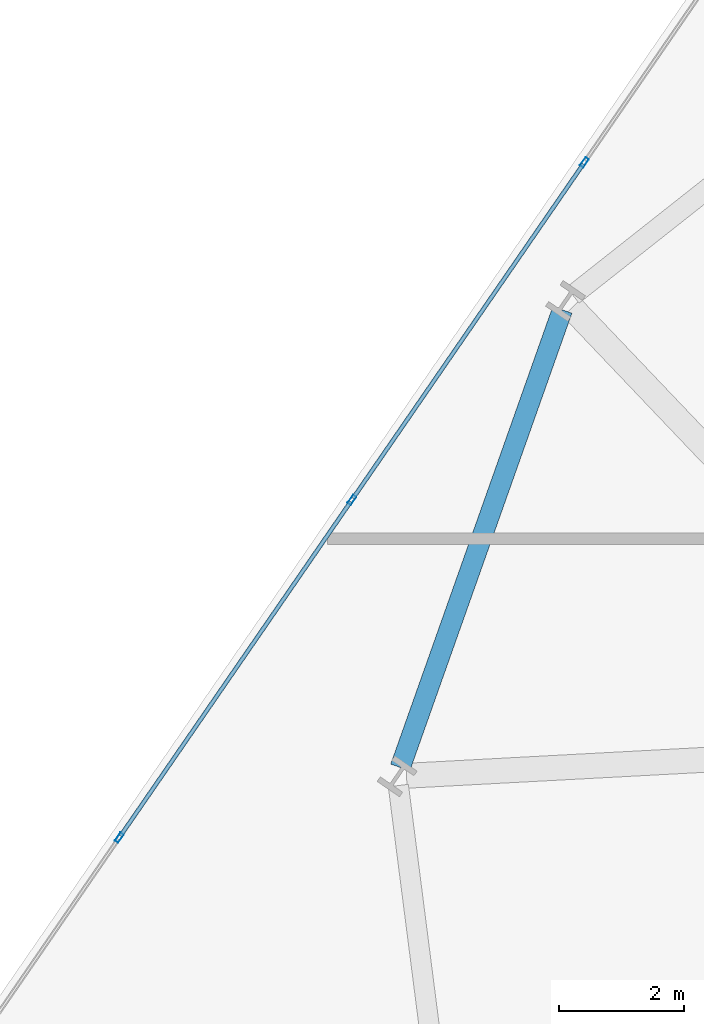
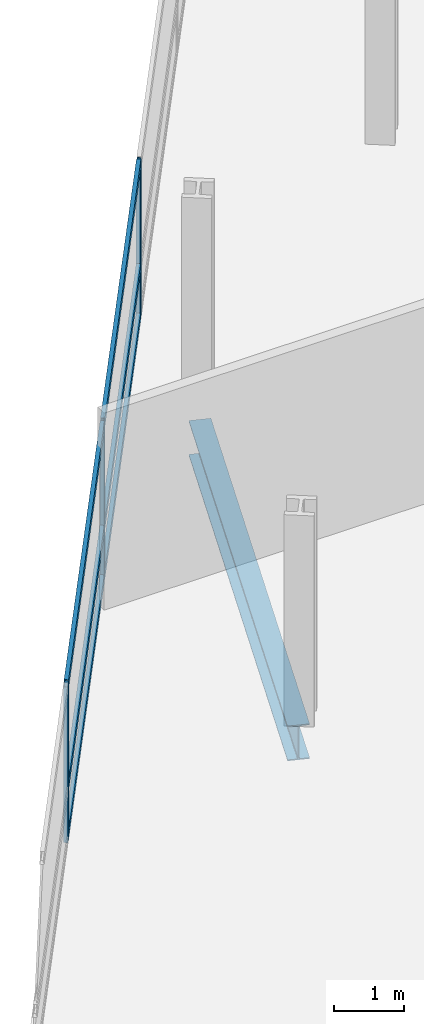
# One storey, part 6 of 26: 9 members, 1 beam, 1 element without a shape of its own.
"""IFC4 building model written with IfcOpenShell, lengths in metres."""

from ifc_helpers import new_model, si_unit, direction, frame, origin, origin_2d, place, context, subcontext, project, spatial, hollow_rectangle, i_section, extrude, material, layer, layer_set, material_profile, profile_set, type_object, element, aggregate, save


model = new_model("IFC4")

# Units and contexts
model_context = context("Model", 3, precision=1e-05, world=origin(), true_north=direction((0.0, 1.0)))
body_context = subcontext(model_context, "Body", "Model", "MODEL_VIEW")
ifc_project = project(units=[si_unit("LENGTHUNIT", "METRE"), si_unit("AREAUNIT", "SQUARE_METRE"), si_unit("VOLUMEUNIT", "CUBIC_METRE"), si_unit("PLANEANGLEUNIT", "RADIAN"), si_unit("MASSUNIT", "GRAM", prefix="KILO")], contexts=[model_context])

# Site, building, storey
site_placement = place(None, origin())
site = spatial("IfcSite", under=ifc_project, at=site_placement, CompositionType="ELEMENT")
building_placement = place(site_placement, origin())
building = spatial("IfcBuilding", under=site, at=building_placement, Name="Varnelok Gate Tower", CompositionType="ELEMENT")
storey_placement = place(building_placement, frame((0.0, 0.0, 45.5)))
storey = spatial("IfcBuildingStorey", under=building, at=storey_placement, Name="L10", CompositionType="ELEMENT", Elevation=45.5)

# Beam
ifc_material_1 = material(Name="Structural Steel ASTM A992 Grade 50", Category="steel")
ifc_material_profile_1 = material_profile(ifc_material_1, i_section(OverallWidth=0.323974609375, OverallDepth=0.611083984375, WebThickness=0.0126953125, FlangeThickness=0.01904296875, FilletRadius=0.01806640625, at=origin_2d()), Name="W24X104")
ifc_profile_set_1 = profile_set([ifc_material_profile_1], Name="Structural Steel ASTM A992 Grade 50")
beam_type = type_object("IfcBeamType", Name="BM-SPN-W24X104", PredefinedType="SPANDREL", material=ifc_profile_set_1)
beam_placement = place(storey_placement, frame((6.679931640625, 45.09619140625, -0.555419921875), z_axis=(-0.333877359029, -0.942616522838, 0.0), x_axis=(0.942616522838, -0.333877359029, 0.0)))
element("IfcBeam", 1, at=beam_placement, inside=storey, type_object=beam_type, Name="L10 Perimeter Spandrel Beam 15", PredefinedType="SPANDREL", context=body_context, shape_type="SweptSolid", body=[
    extrude(i_section(OverallWidth=0.323974609375, OverallDepth=0.611083984375, WebThickness=0.0126953125, FlangeThickness=0.01904296875, FilletRadius=0.01806640625, at=origin_2d()), origin(), (0.0, 0.0, 1.0), 7.77734375),
])

# Curtain wall, members
ifc_material_2 = material(Name="Anodized Aluminum Alloy 6063-T6", Category="aluminium")
ifc_layer = layer(ifc_material_2, 0.179931640625)
ifc_layer_set = layer_set([ifc_layer], Name="Anodized Aluminum Alloy 6063-T6")
curtain_wall_type = type_object("IfcCurtainWallType", Name="CW3-HOTEL-VISION", PredefinedType="USERDEFINED", material=ifc_layer_set)
curtain_wall_placement = place(storey_placement, origin())
curtain_wall = element("IfcCurtainWall", 2, at=curtain_wall_placement, inside=storey, type_object=curtain_wall_type, Name="L10 West End Vision Curtain Wall", ObjectType="UNITISED CURTAIN WALL", PredefinedType="USERDEFINED")
ifc_material_profile_2 = material_profile(ifc_material_2, hollow_rectangle(XDim=0.06494140625, YDim=0.159912109375, WallThickness=0.00390625, at=origin_2d()), Name="ALU160X65X4")
ifc_profile_set_2 = profile_set([ifc_material_profile_2], Name="Anodized Aluminum Alloy 6063-T6")
member_type_1 = type_object("IfcMemberType", Name="CW-MULL-160", PredefinedType="MULLION", material=ifc_profile_set_2)
member_1_placement = place(storey_placement, frame((-0.417236328125, 36.641845703125, 0.0), z_axis=(0.0, 0.0, 1.0), x_axis=(-0.823532685111, 0.567268822124, 0.0)))
member_1 = element("IfcMember", 3, at=member_1_placement, type_object=member_type_1, Name="CW3 mullion 2", PredefinedType="MULLION", context=body_context, shape_type="SweptSolid", body=[
    extrude(hollow_rectangle(XDim=0.06494140625, YDim=0.159912109375, WallThickness=0.00390625, at=origin_2d()), origin(), (0.0, 0.0, 1.0), 2.72998046875),
])
member_2_placement = place(storey_placement, frame((3.3076171875, 42.049560546875, 0.0), z_axis=(0.0, 0.0, 1.0), x_axis=(-0.823532685111, 0.567268822124, 0.0)))
member_2 = element("IfcMember", 4, at=member_2_placement, type_object=member_type_1, Name="CW3 mullion 3", PredefinedType="MULLION", context=body_context, shape_type="SweptSolid", body=[
    extrude(hollow_rectangle(XDim=0.06494140625, YDim=0.159912109375, WallThickness=0.00390625, at=origin_2d()), origin(), (0.0, 0.0, 1.0), 2.72998046875),
])
member_3_placement = place(storey_placement, frame((7.03271484375, 47.45751953125, 0.0), z_axis=(0.0, 0.0, 1.0), x_axis=(-0.823532685111, 0.567268822124, 0.0)))
member_3 = element("IfcMember", 5, at=member_3_placement, type_object=member_type_1, Name="CW3 mullion 4", PredefinedType="MULLION", context=body_context, shape_type="SweptSolid", body=[
    extrude(hollow_rectangle(XDim=0.06494140625, YDim=0.159912109375, WallThickness=0.00390625, at=origin_2d()), origin(), (0.0, 0.0, 1.0), 2.72998046875),
])
ifc_material_profile_3 = material_profile(ifc_material_2, hollow_rectangle(XDim=0.06494140625, YDim=0.159912109375, WallThickness=0.00390625, at=origin_2d()), Name="ALU160X65X4")
ifc_profile_set_3 = profile_set([ifc_material_profile_3], Name="Anodized Aluminum Alloy 6063-T6")
member_type_2 = type_object("IfcMemberType", Name="CW-TRAN-160", PredefinedType="USERDEFINED", material=ifc_profile_set_3)
member_4_placement = place(storey_placement, frame((-0.39892578125, 36.66845703125, 0.032470703125), z_axis=(0.567261662339, 0.823537616894, 0.0), x_axis=(-0.823537616894, 0.567261662339, 0.0)))
member_4 = element("IfcMember", 6, at=member_4_placement, type_object=member_type_2, Name="CW3 transom 2.1", ObjectType="TRANSOM", PredefinedType="USERDEFINED", context=body_context, shape_type="SweptSolid", body=[
    extrude(hollow_rectangle(XDim=0.06494140625, YDim=0.159912109375, WallThickness=0.00390625, at=origin_2d()), origin(), (0.0, 0.0, 1.0), 6.501708984375),
])
member_5_placement = place(storey_placement, frame((-0.39892578125, 36.66845703125, 0.89990234375), z_axis=(0.567261662339, 0.823537616894, 0.0), x_axis=(-0.823537616894, 0.567261662339, 0.0)))
member_5 = element("IfcMember", 7, at=member_5_placement, type_object=member_type_2, Name="CW3 transom 2.2", ObjectType="TRANSOM", PredefinedType="USERDEFINED", context=body_context, shape_type="SweptSolid", body=[
    extrude(hollow_rectangle(XDim=0.06494140625, YDim=0.159912109375, WallThickness=0.00390625, at=origin_2d()), origin(), (0.0, 0.0, 1.0), 6.501708984375),
])
member_6_placement = place(storey_placement, frame((-0.39892578125, 36.66845703125, 2.697509765625), z_axis=(0.567261662339, 0.823537616894, 0.0), x_axis=(-0.823537616894, 0.567261662339, 0.0)))
member_6 = element("IfcMember", 8, at=member_6_placement, type_object=member_type_2, Name="CW3 transom 2.3", ObjectType="TRANSOM", PredefinedType="USERDEFINED", context=body_context, shape_type="SweptSolid", body=[
    extrude(hollow_rectangle(XDim=0.06494140625, YDim=0.159912109375, WallThickness=0.00390625, at=origin_2d()), origin(), (0.0, 0.0, 1.0), 6.501708984375),
])
member_7_placement = place(storey_placement, frame((3.326171875, 42.076416015625, 0.032470703125), z_axis=(0.567279204469, 0.823525533409, 0.0), x_axis=(-0.823525533409, 0.567279204469, 0.0)))
member_7 = element("IfcMember", 9, at=member_7_placement, type_object=member_type_2, Name="CW3 transom 3.1", ObjectType="TRANSOM", PredefinedType="USERDEFINED", context=body_context, shape_type="SweptSolid", body=[
    extrude(hollow_rectangle(XDim=0.06494140625, YDim=0.159912109375, WallThickness=0.00390625, at=origin_2d()), origin(), (0.0, 0.0, 1.0), 6.501708984375),
])
member_8_placement = place(storey_placement, frame((3.326171875, 42.076416015625, 0.89990234375), z_axis=(0.567279204469, 0.823525533409, 0.0), x_axis=(-0.823525533409, 0.567279204469, 0.0)))
member_8 = element("IfcMember", 10, at=member_8_placement, type_object=member_type_2, Name="CW3 transom 3.2", ObjectType="TRANSOM", PredefinedType="USERDEFINED", context=body_context, shape_type="SweptSolid", body=[
    extrude(hollow_rectangle(XDim=0.06494140625, YDim=0.159912109375, WallThickness=0.00390625, at=origin_2d()), origin(), (0.0, 0.0, 1.0), 6.501708984375),
])
member_9_placement = place(storey_placement, frame((3.326171875, 42.076416015625, 2.697509765625), z_axis=(0.567279204469, 0.823525533409, 0.0), x_axis=(-0.823525533409, 0.567279204469, 0.0)))
member_9 = element("IfcMember", 11, at=member_9_placement, type_object=member_type_2, Name="CW3 transom 3.3", ObjectType="TRANSOM", PredefinedType="USERDEFINED", context=body_context, shape_type="SweptSolid", body=[
    extrude(hollow_rectangle(XDim=0.06494140625, YDim=0.159912109375, WallThickness=0.00390625, at=origin_2d()), origin(), (0.0, 0.0, 1.0), 6.501708984375),
])
aggregate(curtain_wall, [member_1, member_2, member_3, member_4, member_5, member_6, member_7, member_8, member_9])

save(model, "model.ifc")
